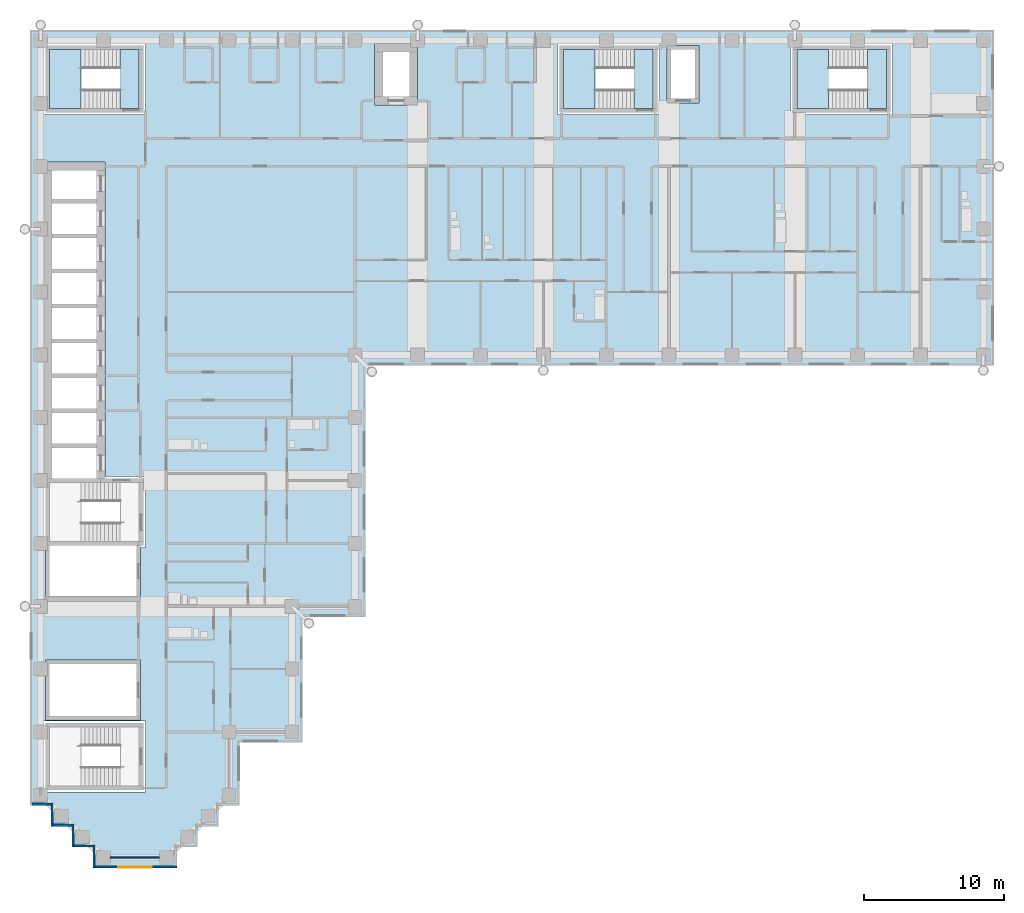
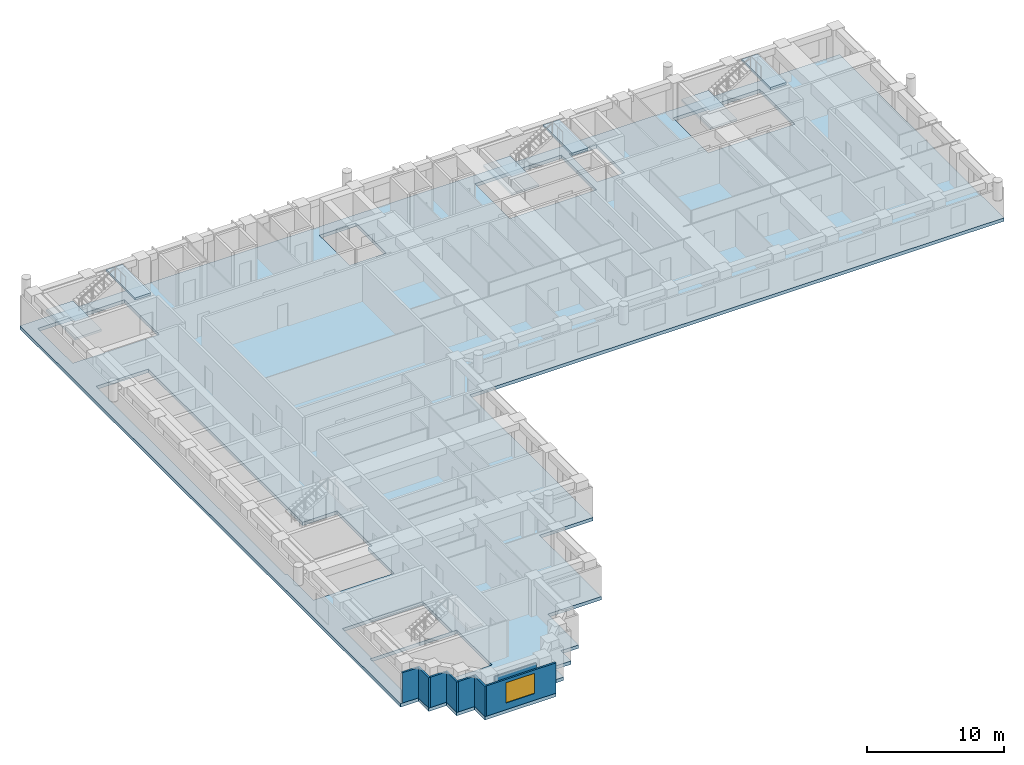
# One storey, part 3 of 14: 8 walls, 7 slabs, 1 window, 1 opening, 3 elements without a shape of their own.
"""IFC4 building model written with IfcOpenShell, lengths in metres."""

from ifc_helpers import new_model, si_unit, direction, frame, frame_2d, origin, place, context, subcontext, project, spatial, polyline, rectangle, outline, extrude, material, layer, layer_set, type_object, element, fill, aggregate, save


model = new_model("IFC4")

# Units and contexts
model_context = context("Model", 3, precision=1e-05, world=origin(), true_north=direction((0.0, 1.0)))
body_context = subcontext(model_context, "Body", "Model", "MODEL_VIEW")
ifc_project = project(units=[si_unit("LENGTHUNIT", "METRE"), si_unit("AREAUNIT", "SQUARE_METRE"), si_unit("VOLUMEUNIT", "CUBIC_METRE"), si_unit("PLANEANGLEUNIT", "RADIAN"), si_unit("MASSUNIT", "GRAM", prefix="KILO")], contexts=[model_context])

# Site, building, storey
site_placement = place(None, origin())
site = spatial("IfcSite", under=ifc_project, at=site_placement, CompositionType="ELEMENT")
building_placement = place(site_placement, origin())
building = spatial("IfcBuilding", under=site, at=building_placement, Name="Firuza Court", CompositionType="ELEMENT")
storey_placement = place(building_placement, frame((0.0, 0.0, 159.199951171875)))
storey = spatial("IfcBuildingStorey", under=building, at=storey_placement, Name="L40", CompositionType="ELEMENT", Elevation=159.199951171875)

# Slab
ifc_material_1 = material(Name="Concrete C40/50", Category="concrete")
ifc_layer_1 = layer(ifc_material_1, 0.300048828125)
ifc_layer_set_1 = layer_set([ifc_layer_1], Name="Concrete C40/50")
slab_type_1 = type_object("IfcSlabType", Name="Floor slab 300 C40/50", PredefinedType="FLOOR", material=ifc_layer_set_1)
slab_1_placement = place(storey_placement, frame((0.0, 0.0, -0.300048828125)))
element("IfcSlab", 1, at=slab_1_placement, inside=storey, type_object=slab_type_1, Name="Floor slab L40", PredefinedType="FLOOR", context=body_context, shape_type="SweptSolid", body=[
    extrude(outline(polyline([(3.75, -0.75), (3.75, 0.75), (2.25, 0.75), (2.25, 2.25), (0.75, 2.25), (0.75, 3.75), (-0.75, 3.75), (-0.75, 59.25), (68.25, 59.25), (68.25, 35.25), (23.25, 35.25), (23.25, 17.25), (18.75, 17.25), (18.75, 8.25), (14.25, 8.25), (14.25, 3.75), (12.75, 3.75), (12.75, 2.25), (11.25, 2.25), (11.25, 0.75), (9.75, 0.75), (9.75, -0.75), (3.75, -0.75)]), holes=[polyline([(0.199951171875, 29.800048828125), (0.199951171875, 29.199951171875), (0.199951171875, 27.300048828125), (0.199951171875, 26.699951171875), (0.199951171875, 22.199951171875), (0.35009765625, 22.199951171875), (0.35009765625, 18.35009765625), (7.14990234375, 18.35009765625), (7.14990234375, 22.199951171875), (7.5, 22.199951171875), (7.5, 27.300048828125), (4.60009765625, 27.300048828125), (4.60009765625, 29.199951171875), (4.60009765625, 29.800048828125), (4.60009765625, 31.699951171875), (4.60009765625, 32.300048828125), (4.60009765625, 34.199951171875), (4.60009765625, 34.800048828125), (4.60009765625, 36.699951171875), (4.60009765625, 37.300048828125), (4.60009765625, 39.199951171875), (4.60009765625, 39.800048828125), (4.60009765625, 41.699951171875), (4.60009765625, 42.300048828125), (4.60009765625, 44.199951171875), (4.60009765625, 44.800048828125), (4.60009765625, 46.699951171875), (4.60009765625, 47.300048828125), (4.60009765625, 49.800048828125), (0.199951171875, 49.800048828125), (0.199951171875, 47.300048828125), (0.199951171875, 46.699951171875), (0.199951171875, 44.800048828125), (0.199951171875, 44.199951171875), (0.199951171875, 42.300048828125), (0.199951171875, 41.699951171875), (0.199951171875, 39.800048828125), (0.199951171875, 39.199951171875), (0.199951171875, 37.300048828125), (0.199951171875, 36.699951171875), (0.199951171875, 34.800048828125), (0.199951171875, 34.199951171875), (0.199951171875, 32.300048828125), (0.199951171875, 31.699951171875), (0.199951171875, 29.800048828125)]), polyline([(7.5, 9.800048828125), (0.199951171875, 9.800048828125), (0.199951171875, 4.699951171875), (7.5, 4.699951171875), (7.5, 9.800048828125)]), polyline([(7.14990234375, 14.14990234375), (0.35009765625, 14.14990234375), (0.35009765625, 9.85009765625), (7.14990234375, 9.85009765625), (7.14990234375, 14.14990234375)]), polyline([(7.5, 58.300048828125), (0.199951171875, 58.300048828125), (0.199951171875, 53.199951171875), (7.5, 53.199951171875), (7.5, 58.300048828125)]), polyline([(44.300048828125, 58.300048828125), (37.0, 58.300048828125), (37.0, 53.199951171875), (44.300048828125, 53.199951171875), (44.300048828125, 58.300048828125)]), polyline([(61.0, 58.300048828125), (53.699951171875, 58.300048828125), (53.699951171875, 53.199951171875), (61.0, 53.199951171875), (61.0, 58.300048828125)]), polyline([(27.0, 53.89990234375), (27.0, 58.300048828125), (23.89990234375, 58.300048828125), (23.89990234375, 53.89990234375), (27.0, 53.89990234375)]), polyline([(47.14990234375, 54.050048828125), (47.14990234375, 58.14990234375), (44.85009765625, 58.14990234375), (44.85009765625, 54.050048828125), (47.14990234375, 54.050048828125)])]), origin(), (0.0, 0.0, 1.0), 0.300048828125),
])

# Stair, slabs
ifc_material_2 = material(Name="Concrete C40/50 precast", Category="concrete")
stair_type = type_object("IfcStairType", Name="Stair 1350 x 3600 2 flights", PredefinedType="HALF_TURN_STAIR", material=ifc_material_2)
stair_1_placement = place(storey_placement, origin())
stair_1 = element("IfcStair", 2, at=stair_1_placement, inside=storey, type_object=stair_type, Name="Stair 1 L40", PredefinedType="HALF_TURN_STAIR")
ifc_material_3 = material(Name="Concrete C40/50 precast", Category="concrete")
ifc_layer_2 = layer(ifc_material_3, 0.199951171875)
ifc_layer_set_2 = layer_set([ifc_layer_2], Name="Concrete C40/50 precast")
slab_type_2 = type_object("IfcSlabType", Name="Stair landing 200", PredefinedType="LANDING", material=ifc_layer_set_2)
slab_2_placement = place(storey_placement, frame((0.0, 0.0, 1.60009765625)))
slab_2 = element("IfcSlab", 3, at=slab_2_placement, type_object=slab_type_2, Name="S1 landing 1", PredefinedType="LANDING", context=body_context, shape_type="SweptSolid", body=[
    extrude(outline(polyline([(39.699951171875, 53.64990234375), (39.699951171875, 57.85009765625), (37.449951171875, 57.85009765625), (37.449951171875, 53.64990234375), (39.699951171875, 53.64990234375)])), origin(), (0.0, 0.0, 1.0), 0.199951171875),
])
slab_3_placement = place(storey_placement, frame((0.0, 0.0, 3.400146484375)))
slab_3 = element("IfcSlab", 4, at=slab_3_placement, type_object=slab_type_2, Name="S1 landing 2", PredefinedType="LANDING", context=body_context, shape_type="SweptSolid", body=[
    extrude(outline(polyline([(43.85009765625, 53.64990234375), (43.85009765625, 57.85009765625), (42.5, 57.85009765625), (42.5, 53.64990234375), (43.85009765625, 53.64990234375)])), origin(), (0.0, 0.0, 1.0), 0.199951171875),
])
aggregate(stair_1, [slab_2, slab_3])

stair_2_placement = place(storey_placement, origin())
stair_2 = element("IfcStair", 5, at=stair_2_placement, inside=storey, type_object=stair_type, Name="Stair 3 L40", PredefinedType="HALF_TURN_STAIR")
slab_4_placement = place(storey_placement, frame((0.0, 0.0, 1.60009765625)))
slab_4 = element("IfcSlab", 6, at=slab_4_placement, type_object=slab_type_2, Name="S3 landing 1", PredefinedType="LANDING", context=body_context, shape_type="SweptSolid", body=[
    extrude(outline(polyline([(2.89990234375, 53.64990234375), (2.89990234375, 57.85009765625), (0.64990234375, 57.85009765625), (0.64990234375, 53.64990234375), (2.89990234375, 53.64990234375)])), origin(), (0.0, 0.0, 1.0), 0.199951171875),
])
slab_5_placement = place(storey_placement, frame((0.0, 0.0, 3.400146484375)))
slab_5 = element("IfcSlab", 7, at=slab_5_placement, type_object=slab_type_2, Name="S3 landing 2", PredefinedType="LANDING", context=body_context, shape_type="SweptSolid", body=[
    extrude(outline(polyline([(7.050048828125, 53.64990234375), (7.050048828125, 57.85009765625), (5.699951171875, 57.85009765625), (5.699951171875, 53.64990234375), (7.050048828125, 53.64990234375)])), origin(), (0.0, 0.0, 1.0), 0.199951171875),
])
aggregate(stair_2, [slab_4, slab_5])

stair_3_placement = place(storey_placement, origin())
stair_3 = element("IfcStair", 8, at=stair_3_placement, inside=storey, type_object=stair_type, Name="Stair 4 L40", PredefinedType="HALF_TURN_STAIR")
slab_6_placement = place(storey_placement, frame((0.0, 0.0, 1.60009765625)))
slab_6 = element("IfcSlab", 9, at=slab_6_placement, type_object=slab_type_2, Name="S4 landing 1", PredefinedType="LANDING", context=body_context, shape_type="SweptSolid", body=[
    extrude(outline(polyline([(56.39990234375, 53.64990234375), (56.39990234375, 57.85009765625), (54.14990234375, 57.85009765625), (54.14990234375, 53.64990234375), (56.39990234375, 53.64990234375)])), origin(), (0.0, 0.0, 1.0), 0.199951171875),
])
slab_7_placement = place(storey_placement, frame((0.0, 0.0, 3.400146484375)))
slab_7 = element("IfcSlab", 10, at=slab_7_placement, type_object=slab_type_2, Name="S4 landing 2", PredefinedType="LANDING", context=body_context, shape_type="SweptSolid", body=[
    extrude(outline(polyline([(60.550048828125, 53.64990234375), (60.550048828125, 57.85009765625), (59.199951171875, 57.85009765625), (59.199951171875, 53.64990234375), (60.550048828125, 53.64990234375)])), origin(), (0.0, 0.0, 1.0), 0.199951171875),
])
aggregate(stair_3, [slab_6, slab_7])

# Walls
ifc_material_4 = material(Name="Timber stud partition, plasterboard both sides", Category="wood")
ifc_layer_3 = layer(ifc_material_4, 0.10009765625)
ifc_layer_set_3 = layer_set([ifc_layer_3], Name="Timber stud partition, plasterboard both sides")
wall_type_1 = type_object("IfcWallType", Name="Partition wall 100", PredefinedType="PARTITIONING", material=ifc_layer_set_3)
wall_1_placement = place(storey_placement, frame((5.0, 0.0, 0.0), z_axis=(0.0, 0.0, 1.0), x_axis=(1.0, 0.0, 0.0)))
element("IfcWall", 11, at=wall_1_placement, inside=storey, type_object=wall_type_1, Name="Partition wall 100 L40", PredefinedType="PARTITIONING", context=body_context, shape_type="SweptSolid", body=[
    extrude(rectangle(XDim=3.5, YDim=0.10009765625, at=frame_2d((1.75, 0.0))), origin(), (0.0, 0.0, 1.0), 2.699951171875),
])
ifc_material_5 = material(Name="Ceramic tile", Category="ceramic")
ifc_layer_4 = layer(ifc_material_5, 0.02001953125)
ifc_material_6 = material(Name="Mineral wool insulation", Category="insulation")
ifc_layer_5 = layer(ifc_material_6, 0.050048828125)
ifc_layer_6 = layer(ifc_material_3, 0.080078125)
ifc_layer_set_4 = layer_set([ifc_layer_4, ifc_layer_5, ifc_layer_6], Name="Concrete C40/50 precast")
wall_type_2 = type_object("IfcWallType", Name="Precast cladding wall with turquoise TILE PANEL face 150", PredefinedType="STANDARD", material=ifc_layer_set_4)
wall_2_placement = place(storey_placement, frame((-0.60009765625, 3.824951171875, 0.0), z_axis=(0.0, 0.0, 1.0), x_axis=(1.0, 0.0, 0.0)))
element("IfcWall", 12, at=wall_2_placement, inside=storey, type_object=wall_type_2, Name="Facade wall L40 S", PredefinedType="STANDARD", context=body_context, shape_type="SweptSolid", body=[
    extrude(rectangle(XDim=1.35009765625, YDim=0.14990234375, at=frame_2d((0.675048828125, 0.0))), origin(), (0.0, 0.0, 1.0), 2.699951171875),
])
wall_3_placement = place(storey_placement, frame((0.824951171875, 3.89990234375, 0.0), z_axis=(0.0, 0.0, 1.0), x_axis=(0.0, -1.0, 0.0)))
element("IfcWall", 13, at=wall_3_placement, inside=storey, type_object=wall_type_2, Name="Facade wall L40 W", PredefinedType="STANDARD", context=body_context, shape_type="SweptSolid", body=[
    extrude(rectangle(XDim=1.64990234375, YDim=0.14990234375, at=frame_2d((0.824951171875, 0.0))), origin(), (0.0, 0.0, 1.0), 2.699951171875),
])
wall_4_placement = place(storey_placement, frame((0.89990234375, 2.324951171875, 0.0), z_axis=(0.0, 0.0, 1.0), x_axis=(1.0, 0.0, 0.0)))
element("IfcWall", 14, at=wall_4_placement, inside=storey, type_object=wall_type_2, Name="Facade wall L40 S", PredefinedType="STANDARD", context=body_context, shape_type="SweptSolid", body=[
    extrude(rectangle(XDim=1.35009765625, YDim=0.14990234375, at=frame_2d((0.675048828125, 0.0))), origin(), (0.0, 0.0, 1.0), 2.699951171875),
])
wall_5_placement = place(storey_placement, frame((2.324951171875, 2.39990234375, 0.0), z_axis=(0.0, 0.0, 1.0), x_axis=(0.0, -1.0, 0.0)))
element("IfcWall", 15, at=wall_5_placement, inside=storey, type_object=wall_type_2, Name="Facade wall L40 W", PredefinedType="STANDARD", context=body_context, shape_type="SweptSolid", body=[
    extrude(rectangle(XDim=1.64990234375, YDim=0.14990234375, at=frame_2d((0.824951171875, 0.0))), origin(), (0.0, 0.0, 1.0), 2.699951171875),
])
wall_6_placement = place(storey_placement, frame((2.39990234375, 0.824951171875, 0.0), z_axis=(0.0, 0.0, 1.0), x_axis=(1.0, 0.0, 0.0)))
element("IfcWall", 16, at=wall_6_placement, inside=storey, type_object=wall_type_2, Name="Facade wall L40 S", PredefinedType="STANDARD", context=body_context, shape_type="SweptSolid", body=[
    extrude(rectangle(XDim=1.35009765625, YDim=0.14990234375, at=frame_2d((0.675048828125, 0.0))), origin(), (0.0, 0.0, 1.0), 2.699951171875),
])
wall_7_placement = place(storey_placement, frame((3.824951171875, 0.89990234375, 0.0), z_axis=(0.0, 0.0, 1.0), x_axis=(0.0, -1.0, 0.0)))
element("IfcWall", 17, at=wall_7_placement, inside=storey, type_object=wall_type_2, Name="Facade wall L40 W", PredefinedType="STANDARD", context=body_context, shape_type="SweptSolid", body=[
    extrude(rectangle(XDim=1.64990234375, YDim=0.14990234375, at=frame_2d((0.824951171875, 0.0))), origin(), (0.0, 0.0, 1.0), 2.699951171875),
])

# Wall, opening, window
wall_8_placement = place(storey_placement, frame((3.89990234375, -0.675048828125, 0.0), z_axis=(0.0, 0.0, 1.0), x_axis=(1.0, 0.0, 0.0)))
wall_8 = element("IfcWall", 18, at=wall_8_placement, inside=storey, type_object=wall_type_2, Name="Facade wall L40 S", PredefinedType="STANDARD", context=body_context, shape_type="SweptSolid", body=[
    extrude(rectangle(XDim=5.85009765625, YDim=0.14990234375, at=frame_2d((2.925048828125, 0.0))), origin(), (0.0, 0.0, 1.0), 2.699951171875),
])
opening_placement = place(wall_8_placement, frame((1.64990234375, 0.0, 0.60009765625)))
opening = element("IfcOpeningElement", 19, at=opening_placement, cuts=wall_8, Name="Opening W1", PredefinedType="OPENING", context=body_context, shape_type="SweptSolid", body=[
    extrude(rectangle(XDim=2.39990234375, YDim=1.800048828125, at=frame_2d((1.199951171875, 0.89990234375))), frame((0.0, 0.0869140625, 0.0), z_axis=(0.0, -1.0, 0.0), x_axis=(1.0, 0.0, 0.0)), (0.0, 0.0, 1.0), 0.173828125),
])
ifc_material_7 = material(Name="Aluminium frame, triple clear glazing", Category="aluminium")
window_type = type_object("IfcWindowType", Name="Window W1 2400 x 1800", PartitioningType="SINGLE_PANEL", PredefinedType="WINDOW", material=ifc_material_7)
window_placement = place(opening_placement, origin())
window = element("IfcWindow", 20, at=window_placement, inside=storey, type_object=window_type, Name="Window L40", OverallHeight=1.800048828125, OverallWidth=2.39990234375, PartitioningType="SINGLE_PANEL", PredefinedType="WINDOW", context=body_context, shape_type="SweptSolid", body=[
    extrude(rectangle(XDim=2.39990234375, YDim=1.800048828125, at=frame_2d((1.199951171875, 0.89990234375))), frame((0.0, 0.030029296875, 0.0), z_axis=(0.0, -1.0, 0.0), x_axis=(1.0, 0.0, 0.0)), (0.0, 0.0, 1.0), 0.06005859375),
])
fill(opening, window)

save(model, "model.ifc")
